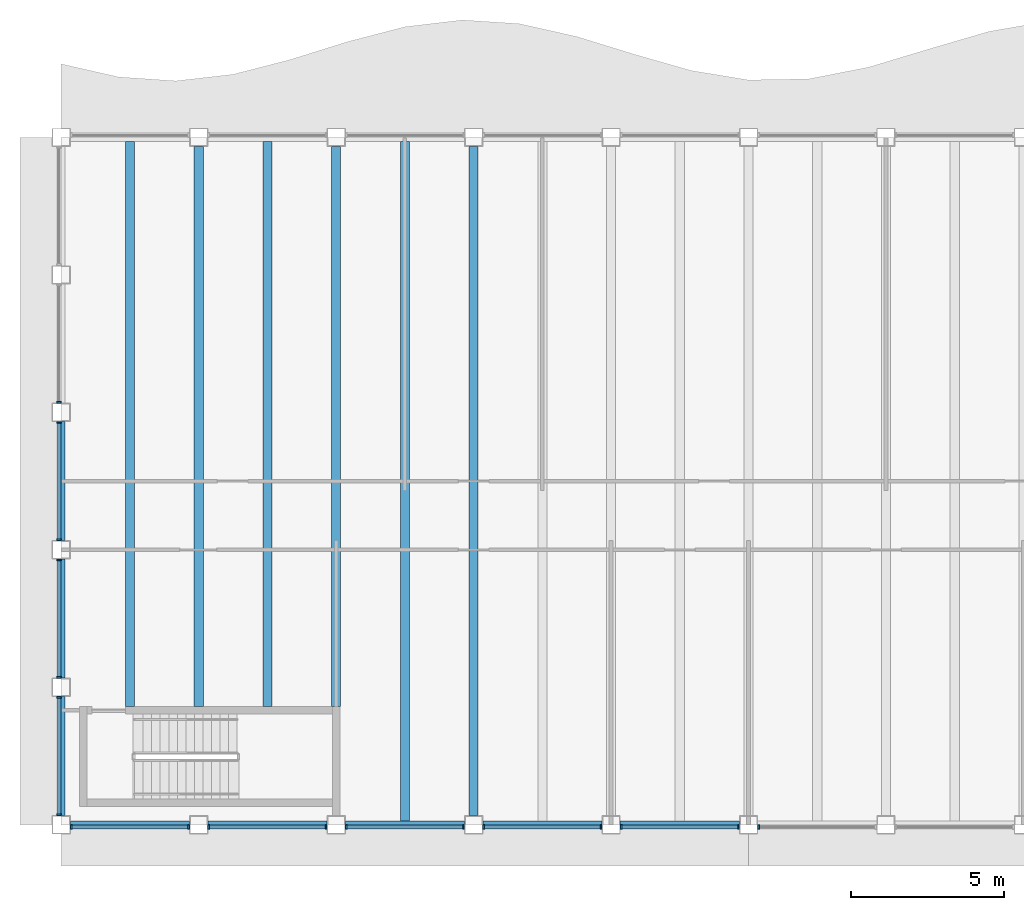
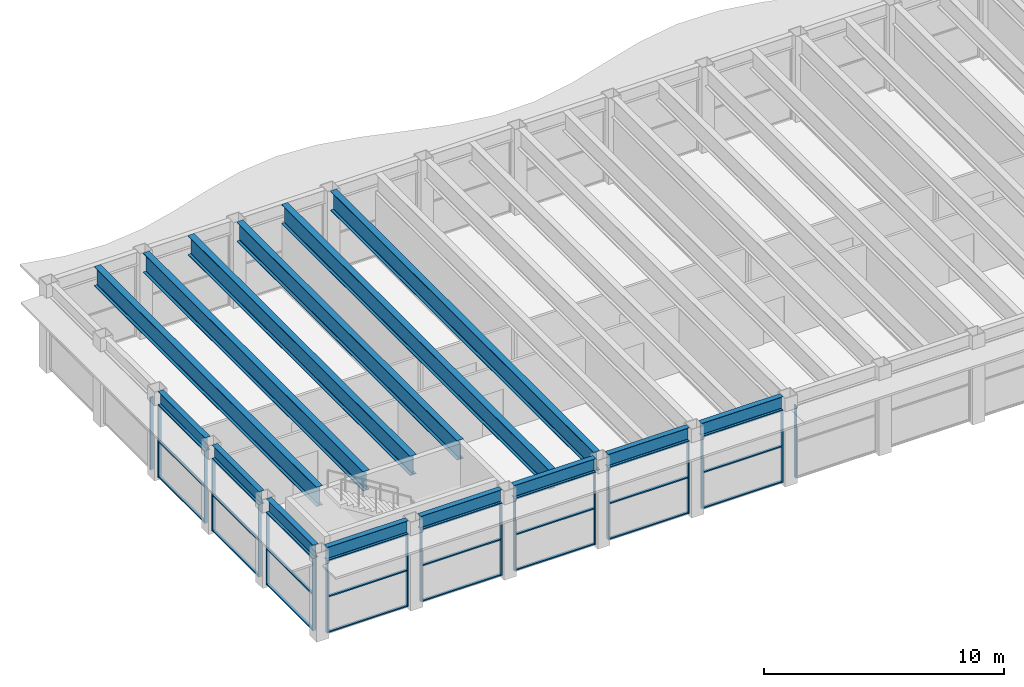
# One storey, part 2 of 14: 42 members, 14 beams, 10 elements without a shape of their own.
"""IFC4 building model written with IfcOpenShell, lengths in metres."""

from ifc_helpers import new_model, si_unit, direction, frame, origin, origin_2d, place, context, subcontext, project, spatial, rectangle, i_section, extrude, material, material_profile, profile_set, type_object, element, aggregate, save


model = new_model("IFC4")

# Units and contexts
model_context = context("Model", 3, precision=1e-05, world=origin(), true_north=direction((0.0, 1.0)))
body_context = subcontext(model_context, "Body", "Model", "MODEL_VIEW")
ifc_project = project(units=[si_unit("LENGTHUNIT", "METRE"), si_unit("AREAUNIT", "SQUARE_METRE"), si_unit("VOLUMEUNIT", "CUBIC_METRE"), si_unit("PLANEANGLEUNIT", "RADIAN"), si_unit("MASSUNIT", "GRAM", prefix="KILO")], contexts=[model_context])

# Site, building, storey
site_placement = place(None, origin())
site = spatial("IfcSite", under=ifc_project, at=site_placement, CompositionType="ELEMENT")
building_placement = place(site_placement, origin())
building = spatial("IfcBuilding", under=site, at=building_placement, Name="Sennacour Bend Tower", CompositionType="ELEMENT")
storey_placement = place(building_placement, frame((0.0, 0.0, 309.5)))
storey = spatial("IfcBuildingStorey", under=building, at=storey_placement, Name="L71", CompositionType="ELEMENT", Elevation=309.5)

# Curtain wall, members
ifc_material_1 = material(Name="Bronze anodised aluminium curtain wall with clear glass", Category="aluminium")
curtain_wall_type = type_object("IfcCurtainWallType", Name="CURTAIN WALL EXEC", PredefinedType="NOTDEFINED", material=ifc_material_1)
curtain_wall_1_placement = place(storey_placement, origin())
curtain_wall_1 = element("IfcCurtainWall", 1, at=curtain_wall_1_placement, inside=storey, type_object=curtain_wall_type, Name="Executive floor glass wall L71", PredefinedType="NOTDEFINED")
ifc_material_2 = material(Name="Aluminium 6063-T6", Category="aluminium")
ifc_material_profile_1 = material_profile(ifc_material_2, rectangle(XDim=0.14990234375, YDim=0.06005859375, at=origin_2d()), Name="Aluminium 6063-T6", Category="aluminium")
ifc_profile_set_1 = profile_set([ifc_material_profile_1], Name="Aluminium 6063-T6")
member_type_1 = type_object("IfcMemberType", Name="CW-MULLION-150X60", PredefinedType="MULLION", material=ifc_profile_set_1)
member_1_placement = place(storey_placement, frame((0.330078125, -0.074951171875, 0.0), z_axis=(0.0, 0.0, 1.0), x_axis=(0.0, 1.0, 0.0)))
member_1 = element("IfcMember", 2, at=member_1_placement, type_object=member_type_1, Name="GW3 curtain wall mullion 1", PredefinedType="MULLION", context=body_context, shape_type="SweptSolid", body=[
    extrude(rectangle(XDim=0.14990234375, YDim=0.06005859375, at=origin_2d()), origin(), (0.0, 0.0, 1.0), 3.672119140625),
])
member_2_placement = place(storey_placement, frame((4.169921875, -0.074951171875, 0.0), z_axis=(0.0, 0.0, 1.0), x_axis=(0.0, 1.0, 0.0)))
member_2 = element("IfcMember", 3, at=member_2_placement, type_object=member_type_1, Name="GW3 curtain wall mullion 2", PredefinedType="MULLION", context=body_context, shape_type="SweptSolid", body=[
    extrude(rectangle(XDim=0.14990234375, YDim=0.06005859375, at=origin_2d()), origin(), (0.0, 0.0, 1.0), 3.672119140625),
])

curtain_wall_2_placement = place(storey_placement, origin())
curtain_wall_2 = element("IfcCurtainWall", 4, at=curtain_wall_2_placement, inside=storey, type_object=curtain_wall_type, Name="Executive floor glass wall L71", PredefinedType="NOTDEFINED")
member_3_placement = place(storey_placement, frame((4.830078125, -0.074951171875, 0.0), z_axis=(0.0, 0.0, 1.0), x_axis=(0.0, 1.0, 0.0)))
member_3 = element("IfcMember", 5, at=member_3_placement, type_object=member_type_1, Name="GW3 curtain wall mullion 1", PredefinedType="MULLION", context=body_context, shape_type="SweptSolid", body=[
    extrude(rectangle(XDim=0.14990234375, YDim=0.06005859375, at=origin_2d()), origin(), (0.0, 0.0, 1.0), 3.672119140625),
])
member_4_placement = place(storey_placement, frame((8.669921875, -0.074951171875, 0.0), z_axis=(0.0, 0.0, 1.0), x_axis=(0.0, 1.0, 0.0)))
member_4 = element("IfcMember", 6, at=member_4_placement, type_object=member_type_1, Name="GW3 curtain wall mullion 2", PredefinedType="MULLION", context=body_context, shape_type="SweptSolid", body=[
    extrude(rectangle(XDim=0.14990234375, YDim=0.06005859375, at=origin_2d()), origin(), (0.0, 0.0, 1.0), 3.672119140625),
])

curtain_wall_3_placement = place(storey_placement, origin())
curtain_wall_3 = element("IfcCurtainWall", 7, at=curtain_wall_3_placement, inside=storey, type_object=curtain_wall_type, Name="Executive floor glass wall L71", PredefinedType="NOTDEFINED")
member_5_placement = place(storey_placement, frame((9.330078125, -0.074951171875, 0.0), z_axis=(0.0, 0.0, 1.0), x_axis=(0.0, 1.0, 0.0)))
member_5 = element("IfcMember", 8, at=member_5_placement, type_object=member_type_1, Name="GW3 curtain wall mullion 1", PredefinedType="MULLION", context=body_context, shape_type="SweptSolid", body=[
    extrude(rectangle(XDim=0.14990234375, YDim=0.06005859375, at=origin_2d()), origin(), (0.0, 0.0, 1.0), 3.672119140625),
])
member_6_placement = place(storey_placement, frame((13.169921875, -0.074951171875, 0.0), z_axis=(0.0, 0.0, 1.0), x_axis=(0.0, 1.0, 0.0)))
member_6 = element("IfcMember", 9, at=member_6_placement, type_object=member_type_1, Name="GW3 curtain wall mullion 2", PredefinedType="MULLION", context=body_context, shape_type="SweptSolid", body=[
    extrude(rectangle(XDim=0.14990234375, YDim=0.06005859375, at=origin_2d()), origin(), (0.0, 0.0, 1.0), 3.672119140625),
])

curtain_wall_4_placement = place(storey_placement, origin())
curtain_wall_4 = element("IfcCurtainWall", 10, at=curtain_wall_4_placement, inside=storey, type_object=curtain_wall_type, Name="Executive floor glass wall L71", PredefinedType="NOTDEFINED")
member_7_placement = place(storey_placement, frame((13.830078125, -0.074951171875, 0.0), z_axis=(0.0, 0.0, 1.0), x_axis=(0.0, 1.0, 0.0)))
member_7 = element("IfcMember", 11, at=member_7_placement, type_object=member_type_1, Name="GW3 curtain wall mullion 1", PredefinedType="MULLION", context=body_context, shape_type="SweptSolid", body=[
    extrude(rectangle(XDim=0.14990234375, YDim=0.06005859375, at=origin_2d()), origin(), (0.0, 0.0, 1.0), 3.672119140625),
])
member_8_placement = place(storey_placement, frame((17.669921875, -0.074951171875, 0.0), z_axis=(0.0, 0.0, 1.0), x_axis=(0.0, 1.0, 0.0)))
member_8 = element("IfcMember", 12, at=member_8_placement, type_object=member_type_1, Name="GW3 curtain wall mullion 2", PredefinedType="MULLION", context=body_context, shape_type="SweptSolid", body=[
    extrude(rectangle(XDim=0.14990234375, YDim=0.06005859375, at=origin_2d()), origin(), (0.0, 0.0, 1.0), 3.672119140625),
])

curtain_wall_5_placement = place(storey_placement, origin())
curtain_wall_5 = element("IfcCurtainWall", 13, at=curtain_wall_5_placement, inside=storey, type_object=curtain_wall_type, Name="Executive floor glass wall L71", PredefinedType="NOTDEFINED")
member_9_placement = place(storey_placement, frame((18.330078125, -0.074951171875, 0.0), z_axis=(0.0, 0.0, 1.0), x_axis=(0.0, 1.0, 0.0)))
member_9 = element("IfcMember", 14, at=member_9_placement, type_object=member_type_1, Name="GW3 curtain wall mullion 1", PredefinedType="MULLION", context=body_context, shape_type="SweptSolid", body=[
    extrude(rectangle(XDim=0.14990234375, YDim=0.06005859375, at=origin_2d()), origin(), (0.0, 0.0, 1.0), 3.672119140625),
])
member_10_placement = place(storey_placement, frame((22.169921875, -0.074951171875, 0.0), z_axis=(0.0, 0.0, 1.0), x_axis=(0.0, 1.0, 0.0)))
member_10 = element("IfcMember", 15, at=member_10_placement, type_object=member_type_1, Name="GW3 curtain wall mullion 2", PredefinedType="MULLION", context=body_context, shape_type="SweptSolid", body=[
    extrude(rectangle(XDim=0.14990234375, YDim=0.06005859375, at=origin_2d()), origin(), (0.0, 0.0, 1.0), 3.672119140625),
])

# Curtain wall, member
curtain_wall_6_placement = place(storey_placement, origin())
curtain_wall_6 = element("IfcCurtainWall", 16, at=curtain_wall_6_placement, inside=storey, type_object=curtain_wall_type, Name="Executive floor glass wall L71", PredefinedType="NOTDEFINED")
member_11_placement = place(storey_placement, frame((22.830078125, -0.074951171875, 0.0), z_axis=(0.0, 0.0, 1.0), x_axis=(0.0, 1.0, 0.0)))
member_11 = element("IfcMember", 17, at=member_11_placement, type_object=member_type_1, Name="GW3 curtain wall mullion 1", PredefinedType="MULLION", context=body_context, shape_type="SweptSolid", body=[
    extrude(rectangle(XDim=0.14990234375, YDim=0.06005859375, at=origin_2d()), origin(), (0.0, 0.0, 1.0), 3.672119140625),
])
aggregate(curtain_wall_6, [member_11])

curtain_wall_7_placement = place(storey_placement, origin())
curtain_wall_7 = element("IfcCurtainWall", 18, at=curtain_wall_7_placement, inside=storey, type_object=curtain_wall_type, Name="Executive floor glass wall L71", PredefinedType="NOTDEFINED")
member_12_placement = place(storey_placement, frame((-0.074951171875, 13.830078125, 0.0), z_axis=(0.0, 0.0, 1.0), x_axis=(1.0, 0.0, 0.0)))
member_12 = element("IfcMember", 19, at=member_12_placement, type_object=member_type_1, Name="GW3 curtain wall mullion 2", PredefinedType="MULLION", context=body_context, shape_type="SweptSolid", body=[
    extrude(rectangle(XDim=0.14990234375, YDim=0.06005859375, at=origin_2d()), origin(), (0.0, 0.0, 1.0), 3.672119140625),
])
aggregate(curtain_wall_7, [member_12])

# Curtain wall, members
curtain_wall_8_placement = place(storey_placement, origin())
curtain_wall_8 = element("IfcCurtainWall", 20, at=curtain_wall_8_placement, inside=storey, type_object=curtain_wall_type, Name="Executive floor glass wall L71", PredefinedType="NOTDEFINED")
member_13_placement = place(storey_placement, frame((-0.074951171875, 13.169921875, 0.0), z_axis=(0.0, 0.0, 1.0), x_axis=(1.0, 0.0, 0.0)))
member_13 = element("IfcMember", 21, at=member_13_placement, type_object=member_type_1, Name="GW3 curtain wall mullion 1", PredefinedType="MULLION", context=body_context, shape_type="SweptSolid", body=[
    extrude(rectangle(XDim=0.14990234375, YDim=0.06005859375, at=origin_2d()), origin(), (0.0, 0.0, 1.0), 3.672119140625),
])
member_14_placement = place(storey_placement, frame((-0.074951171875, 9.330078125, 0.0), z_axis=(0.0, 0.0, 1.0), x_axis=(1.0, 0.0, 0.0)))
member_14 = element("IfcMember", 22, at=member_14_placement, type_object=member_type_1, Name="GW3 curtain wall mullion 2", PredefinedType="MULLION", context=body_context, shape_type="SweptSolid", body=[
    extrude(rectangle(XDim=0.14990234375, YDim=0.06005859375, at=origin_2d()), origin(), (0.0, 0.0, 1.0), 3.672119140625),
])

curtain_wall_9_placement = place(storey_placement, origin())
curtain_wall_9 = element("IfcCurtainWall", 23, at=curtain_wall_9_placement, inside=storey, type_object=curtain_wall_type, Name="Executive floor glass wall L71", PredefinedType="NOTDEFINED")
member_15_placement = place(storey_placement, frame((-0.074951171875, 8.669921875, 0.0), z_axis=(0.0, 0.0, 1.0), x_axis=(1.0, 0.0, 0.0)))
member_15 = element("IfcMember", 24, at=member_15_placement, type_object=member_type_1, Name="GW3 curtain wall mullion 1", PredefinedType="MULLION", context=body_context, shape_type="SweptSolid", body=[
    extrude(rectangle(XDim=0.14990234375, YDim=0.06005859375, at=origin_2d()), origin(), (0.0, 0.0, 1.0), 3.672119140625),
])
member_16_placement = place(storey_placement, frame((-0.074951171875, 4.830078125, 0.0), z_axis=(0.0, 0.0, 1.0), x_axis=(1.0, 0.0, 0.0)))
member_16 = element("IfcMember", 25, at=member_16_placement, type_object=member_type_1, Name="GW3 curtain wall mullion 2", PredefinedType="MULLION", context=body_context, shape_type="SweptSolid", body=[
    extrude(rectangle(XDim=0.14990234375, YDim=0.06005859375, at=origin_2d()), origin(), (0.0, 0.0, 1.0), 3.672119140625),
])

curtain_wall_10_placement = place(storey_placement, origin())
curtain_wall_10 = element("IfcCurtainWall", 26, at=curtain_wall_10_placement, inside=storey, type_object=curtain_wall_type, Name="Executive floor glass wall L71", PredefinedType="NOTDEFINED")
member_17_placement = place(storey_placement, frame((-0.074951171875, 4.169921875, 0.0), z_axis=(0.0, 0.0, 1.0), x_axis=(1.0, 0.0, 0.0)))
member_17 = element("IfcMember", 27, at=member_17_placement, type_object=member_type_1, Name="GW3 curtain wall mullion 1", PredefinedType="MULLION", context=body_context, shape_type="SweptSolid", body=[
    extrude(rectangle(XDim=0.14990234375, YDim=0.06005859375, at=origin_2d()), origin(), (0.0, 0.0, 1.0), 3.672119140625),
])
member_18_placement = place(storey_placement, frame((-0.074951171875, 0.330078125, 0.0), z_axis=(0.0, 0.0, 1.0), x_axis=(1.0, 0.0, 0.0)))
member_18 = element("IfcMember", 28, at=member_18_placement, type_object=member_type_1, Name="GW3 curtain wall mullion 2", PredefinedType="MULLION", context=body_context, shape_type="SweptSolid", body=[
    extrude(rectangle(XDim=0.14990234375, YDim=0.06005859375, at=origin_2d()), origin(), (0.0, 0.0, 1.0), 3.672119140625),
])

# Member
ifc_material_profile_2 = material_profile(ifc_material_2, rectangle(XDim=0.1201171875, YDim=0.06005859375, at=origin_2d()), Name="Aluminium 6063-T6", Category="aluminium")
ifc_profile_set_2 = profile_set([ifc_material_profile_2], Name="Aluminium 6063-T6")
member_type_2 = type_object("IfcMemberType", Name="CW-TRANSOM-120X60", PredefinedType="USERDEFINED", material=ifc_profile_set_2)
member_19_placement = place(storey_placement, frame((0.360107421875, -0.074951171875, 0.030029296875), z_axis=(1.0, 0.0, 0.0), x_axis=(0.0, 1.0, 0.0)))
member_19 = element("IfcMember", 29, at=member_19_placement, type_object=member_type_2, Name="GW3 curtain wall transom 1.1", ObjectType="TRANSOM", PredefinedType="USERDEFINED", context=body_context, shape_type="SweptSolid", body=[
    extrude(rectangle(XDim=0.1201171875, YDim=0.06005859375, at=origin_2d()), origin(), (0.0, 0.0, 1.0), 3.77978515625),
])

member_20_placement = place(storey_placement, frame((0.360107421875, -0.074951171875, 1.8359375), z_axis=(1.0, 0.0, 0.0), x_axis=(0.0, 1.0, 0.0)))
member_20 = element("IfcMember", 30, at=member_20_placement, type_object=member_type_2, Name="GW3 curtain wall transom 1.2", ObjectType="TRANSOM", PredefinedType="USERDEFINED", context=body_context, shape_type="SweptSolid", body=[
    extrude(rectangle(XDim=0.1201171875, YDim=0.06005859375, at=origin_2d()), origin(), (0.0, 0.0, 1.0), 3.77978515625),
])

member_21_placement = place(storey_placement, frame((0.360107421875, -0.074951171875, 3.64208984375), z_axis=(1.0, 0.0, 0.0), x_axis=(0.0, 1.0, 0.0)))
member_21 = element("IfcMember", 31, at=member_21_placement, type_object=member_type_2, Name="GW3 curtain wall transom 1.3", ObjectType="TRANSOM", PredefinedType="USERDEFINED", context=body_context, shape_type="SweptSolid", body=[
    extrude(rectangle(XDim=0.1201171875, YDim=0.06005859375, at=origin_2d()), origin(), (0.0, 0.0, 1.0), 3.77978515625),
])

aggregate(curtain_wall_1, [member_1, member_2, member_19, member_20, member_21])

member_22_placement = place(storey_placement, frame((4.860107421875, -0.074951171875, 0.030029296875), z_axis=(1.0, 0.0, 0.0), x_axis=(0.0, 1.0, 0.0)))
member_22 = element("IfcMember", 32, at=member_22_placement, type_object=member_type_2, Name="GW3 curtain wall transom 1.1", ObjectType="TRANSOM", PredefinedType="USERDEFINED", context=body_context, shape_type="SweptSolid", body=[
    extrude(rectangle(XDim=0.1201171875, YDim=0.06005859375, at=origin_2d()), origin(), (0.0, 0.0, 1.0), 3.77978515625),
])

member_23_placement = place(storey_placement, frame((4.860107421875, -0.074951171875, 1.8359375), z_axis=(1.0, 0.0, 0.0), x_axis=(0.0, 1.0, 0.0)))
member_23 = element("IfcMember", 33, at=member_23_placement, type_object=member_type_2, Name="GW3 curtain wall transom 1.2", ObjectType="TRANSOM", PredefinedType="USERDEFINED", context=body_context, shape_type="SweptSolid", body=[
    extrude(rectangle(XDim=0.1201171875, YDim=0.06005859375, at=origin_2d()), origin(), (0.0, 0.0, 1.0), 3.77978515625),
])

member_24_placement = place(storey_placement, frame((4.860107421875, -0.074951171875, 3.64208984375), z_axis=(1.0, 0.0, 0.0), x_axis=(0.0, 1.0, 0.0)))
member_24 = element("IfcMember", 34, at=member_24_placement, type_object=member_type_2, Name="GW3 curtain wall transom 1.3", ObjectType="TRANSOM", PredefinedType="USERDEFINED", context=body_context, shape_type="SweptSolid", body=[
    extrude(rectangle(XDim=0.1201171875, YDim=0.06005859375, at=origin_2d()), origin(), (0.0, 0.0, 1.0), 3.77978515625),
])

aggregate(curtain_wall_2, [member_3, member_4, member_22, member_23, member_24])

member_25_placement = place(storey_placement, frame((9.360107421875, -0.074951171875, 0.030029296875), z_axis=(1.0, 0.0, 0.0), x_axis=(0.0, 1.0, 0.0)))
member_25 = element("IfcMember", 35, at=member_25_placement, type_object=member_type_2, Name="GW3 curtain wall transom 1.1", ObjectType="TRANSOM", PredefinedType="USERDEFINED", context=body_context, shape_type="SweptSolid", body=[
    extrude(rectangle(XDim=0.1201171875, YDim=0.06005859375, at=origin_2d()), origin(), (0.0, 0.0, 1.0), 3.77978515625),
])

member_26_placement = place(storey_placement, frame((9.360107421875, -0.074951171875, 1.8359375), z_axis=(1.0, 0.0, 0.0), x_axis=(0.0, 1.0, 0.0)))
member_26 = element("IfcMember", 36, at=member_26_placement, type_object=member_type_2, Name="GW3 curtain wall transom 1.2", ObjectType="TRANSOM", PredefinedType="USERDEFINED", context=body_context, shape_type="SweptSolid", body=[
    extrude(rectangle(XDim=0.1201171875, YDim=0.06005859375, at=origin_2d()), origin(), (0.0, 0.0, 1.0), 3.77978515625),
])

member_27_placement = place(storey_placement, frame((9.360107421875, -0.074951171875, 3.64208984375), z_axis=(1.0, 0.0, 0.0), x_axis=(0.0, 1.0, 0.0)))
member_27 = element("IfcMember", 37, at=member_27_placement, type_object=member_type_2, Name="GW3 curtain wall transom 1.3", ObjectType="TRANSOM", PredefinedType="USERDEFINED", context=body_context, shape_type="SweptSolid", body=[
    extrude(rectangle(XDim=0.1201171875, YDim=0.06005859375, at=origin_2d()), origin(), (0.0, 0.0, 1.0), 3.77978515625),
])

aggregate(curtain_wall_3, [member_5, member_6, member_25, member_26, member_27])

member_28_placement = place(storey_placement, frame((13.860107421875, -0.074951171875, 0.030029296875), z_axis=(1.0, 0.0, 0.0), x_axis=(0.0, 1.0, 0.0)))
member_28 = element("IfcMember", 38, at=member_28_placement, type_object=member_type_2, Name="GW3 curtain wall transom 1.1", ObjectType="TRANSOM", PredefinedType="USERDEFINED", context=body_context, shape_type="SweptSolid", body=[
    extrude(rectangle(XDim=0.1201171875, YDim=0.06005859375, at=origin_2d()), origin(), (0.0, 0.0, 1.0), 3.77978515625),
])

member_29_placement = place(storey_placement, frame((13.860107421875, -0.074951171875, 1.8359375), z_axis=(1.0, 0.0, 0.0), x_axis=(0.0, 1.0, 0.0)))
member_29 = element("IfcMember", 39, at=member_29_placement, type_object=member_type_2, Name="GW3 curtain wall transom 1.2", ObjectType="TRANSOM", PredefinedType="USERDEFINED", context=body_context, shape_type="SweptSolid", body=[
    extrude(rectangle(XDim=0.1201171875, YDim=0.06005859375, at=origin_2d()), origin(), (0.0, 0.0, 1.0), 3.77978515625),
])

member_30_placement = place(storey_placement, frame((13.860107421875, -0.074951171875, 3.64208984375), z_axis=(1.0, 0.0, 0.0), x_axis=(0.0, 1.0, 0.0)))
member_30 = element("IfcMember", 40, at=member_30_placement, type_object=member_type_2, Name="GW3 curtain wall transom 1.3", ObjectType="TRANSOM", PredefinedType="USERDEFINED", context=body_context, shape_type="SweptSolid", body=[
    extrude(rectangle(XDim=0.1201171875, YDim=0.06005859375, at=origin_2d()), origin(), (0.0, 0.0, 1.0), 3.77978515625),
])

aggregate(curtain_wall_4, [member_7, member_8, member_28, member_29, member_30])

member_31_placement = place(storey_placement, frame((18.360107421875, -0.074951171875, 0.030029296875), z_axis=(1.0, 0.0, 0.0), x_axis=(0.0, 1.0, 0.0)))
member_31 = element("IfcMember", 41, at=member_31_placement, type_object=member_type_2, Name="GW3 curtain wall transom 1.1", ObjectType="TRANSOM", PredefinedType="USERDEFINED", context=body_context, shape_type="SweptSolid", body=[
    extrude(rectangle(XDim=0.1201171875, YDim=0.06005859375, at=origin_2d()), origin(), (0.0, 0.0, 1.0), 3.77978515625),
])

member_32_placement = place(storey_placement, frame((18.360107421875, -0.074951171875, 1.8359375), z_axis=(1.0, 0.0, 0.0), x_axis=(0.0, 1.0, 0.0)))
member_32 = element("IfcMember", 42, at=member_32_placement, type_object=member_type_2, Name="GW3 curtain wall transom 1.2", ObjectType="TRANSOM", PredefinedType="USERDEFINED", context=body_context, shape_type="SweptSolid", body=[
    extrude(rectangle(XDim=0.1201171875, YDim=0.06005859375, at=origin_2d()), origin(), (0.0, 0.0, 1.0), 3.77978515625),
])

member_33_placement = place(storey_placement, frame((18.360107421875, -0.074951171875, 3.64208984375), z_axis=(1.0, 0.0, 0.0), x_axis=(0.0, 1.0, 0.0)))
member_33 = element("IfcMember", 43, at=member_33_placement, type_object=member_type_2, Name="GW3 curtain wall transom 1.3", ObjectType="TRANSOM", PredefinedType="USERDEFINED", context=body_context, shape_type="SweptSolid", body=[
    extrude(rectangle(XDim=0.1201171875, YDim=0.06005859375, at=origin_2d()), origin(), (0.0, 0.0, 1.0), 3.77978515625),
])

aggregate(curtain_wall_5, [member_9, member_10, member_31, member_32, member_33])

member_34_placement = place(storey_placement, frame((-0.074951171875, 13.139892578125, 0.030029296875), z_axis=(0.0, -1.0, 0.0), x_axis=(1.0, 0.0, 0.0)))
member_34 = element("IfcMember", 44, at=member_34_placement, type_object=member_type_2, Name="GW3 curtain wall transom 1.1", ObjectType="TRANSOM", PredefinedType="USERDEFINED", context=body_context, shape_type="SweptSolid", body=[
    extrude(rectangle(XDim=0.1201171875, YDim=0.06005859375, at=origin_2d()), origin(), (0.0, 0.0, 1.0), 3.77978515625),
])

member_35_placement = place(storey_placement, frame((-0.074951171875, 13.139892578125, 1.8359375), z_axis=(0.0, -1.0, 0.0), x_axis=(1.0, 0.0, 0.0)))
member_35 = element("IfcMember", 45, at=member_35_placement, type_object=member_type_2, Name="GW3 curtain wall transom 1.2", ObjectType="TRANSOM", PredefinedType="USERDEFINED", context=body_context, shape_type="SweptSolid", body=[
    extrude(rectangle(XDim=0.1201171875, YDim=0.06005859375, at=origin_2d()), origin(), (0.0, 0.0, 1.0), 3.77978515625),
])

member_36_placement = place(storey_placement, frame((-0.074951171875, 13.139892578125, 3.64208984375), z_axis=(0.0, -1.0, 0.0), x_axis=(1.0, 0.0, 0.0)))
member_36 = element("IfcMember", 46, at=member_36_placement, type_object=member_type_2, Name="GW3 curtain wall transom 1.3", ObjectType="TRANSOM", PredefinedType="USERDEFINED", context=body_context, shape_type="SweptSolid", body=[
    extrude(rectangle(XDim=0.1201171875, YDim=0.06005859375, at=origin_2d()), origin(), (0.0, 0.0, 1.0), 3.77978515625),
])

aggregate(curtain_wall_8, [member_13, member_14, member_34, member_35, member_36])

member_37_placement = place(storey_placement, frame((-0.074951171875, 8.639892578125, 0.030029296875), z_axis=(0.0, -1.0, 0.0), x_axis=(1.0, 0.0, 0.0)))
member_37 = element("IfcMember", 47, at=member_37_placement, type_object=member_type_2, Name="GW3 curtain wall transom 1.1", ObjectType="TRANSOM", PredefinedType="USERDEFINED", context=body_context, shape_type="SweptSolid", body=[
    extrude(rectangle(XDim=0.1201171875, YDim=0.06005859375, at=origin_2d()), origin(), (0.0, 0.0, 1.0), 3.77978515625),
])

member_38_placement = place(storey_placement, frame((-0.074951171875, 8.639892578125, 1.8359375), z_axis=(0.0, -1.0, 0.0), x_axis=(1.0, 0.0, 0.0)))
member_38 = element("IfcMember", 48, at=member_38_placement, type_object=member_type_2, Name="GW3 curtain wall transom 1.2", ObjectType="TRANSOM", PredefinedType="USERDEFINED", context=body_context, shape_type="SweptSolid", body=[
    extrude(rectangle(XDim=0.1201171875, YDim=0.06005859375, at=origin_2d()), origin(), (0.0, 0.0, 1.0), 3.77978515625),
])

member_39_placement = place(storey_placement, frame((-0.074951171875, 8.639892578125, 3.64208984375), z_axis=(0.0, -1.0, 0.0), x_axis=(1.0, 0.0, 0.0)))
member_39 = element("IfcMember", 49, at=member_39_placement, type_object=member_type_2, Name="GW3 curtain wall transom 1.3", ObjectType="TRANSOM", PredefinedType="USERDEFINED", context=body_context, shape_type="SweptSolid", body=[
    extrude(rectangle(XDim=0.1201171875, YDim=0.06005859375, at=origin_2d()), origin(), (0.0, 0.0, 1.0), 3.77978515625),
])

aggregate(curtain_wall_9, [member_15, member_16, member_37, member_38, member_39])

member_40_placement = place(storey_placement, frame((-0.074951171875, 4.139892578125, 0.030029296875), z_axis=(0.0, -1.0, 0.0), x_axis=(1.0, 0.0, 0.0)))
member_40 = element("IfcMember", 50, at=member_40_placement, type_object=member_type_2, Name="GW3 curtain wall transom 1.1", ObjectType="TRANSOM", PredefinedType="USERDEFINED", context=body_context, shape_type="SweptSolid", body=[
    extrude(rectangle(XDim=0.1201171875, YDim=0.06005859375, at=origin_2d()), origin(), (0.0, 0.0, 1.0), 3.77978515625),
])

member_41_placement = place(storey_placement, frame((-0.074951171875, 4.139892578125, 1.8359375), z_axis=(0.0, -1.0, 0.0), x_axis=(1.0, 0.0, 0.0)))
member_41 = element("IfcMember", 51, at=member_41_placement, type_object=member_type_2, Name="GW3 curtain wall transom 1.2", ObjectType="TRANSOM", PredefinedType="USERDEFINED", context=body_context, shape_type="SweptSolid", body=[
    extrude(rectangle(XDim=0.1201171875, YDim=0.06005859375, at=origin_2d()), origin(), (0.0, 0.0, 1.0), 3.77978515625),
])

member_42_placement = place(storey_placement, frame((-0.074951171875, 4.139892578125, 3.64208984375), z_axis=(0.0, -1.0, 0.0), x_axis=(1.0, 0.0, 0.0)))
member_42 = element("IfcMember", 52, at=member_42_placement, type_object=member_type_2, Name="GW3 curtain wall transom 1.3", ObjectType="TRANSOM", PredefinedType="USERDEFINED", context=body_context, shape_type="SweptSolid", body=[
    extrude(rectangle(XDim=0.1201171875, YDim=0.06005859375, at=origin_2d()), origin(), (0.0, 0.0, 1.0), 3.77978515625),
])

aggregate(curtain_wall_10, [member_17, member_18, member_40, member_41, member_42])

# Beams
ifc_material_3 = material(Name="Steel ASTM A992 Grade 50", Category="steel")
ifc_material_profile_3 = material_profile(ifc_material_3, i_section(OverallWidth=0.300048828125, OverallDepth=0.990966796875, WebThickness=0.0166015625, FlangeThickness=0.030517578125, FilletRadius=0.030029296875, at=origin_2d()), Name="Steel ASTM A992 Grade 50", Category="steel")
ifc_profile_set_3 = profile_set([ifc_material_profile_3], Name="Steel ASTM A992 Grade 50")
beam_type_1 = type_object("IfcBeamType", Name="Floor beam W1000X272", PredefinedType="BEAM", material=ifc_profile_set_3)
beam_1_placement = place(storey_placement, frame((2.25, 3.875, 3.8544921875), z_axis=(0.0, 1.0, 0.0), x_axis=(-1.0, 0.0, 0.0)))
element("IfcBeam", 53, at=beam_1_placement, inside=storey, type_object=beam_type_1, Name="Floor beam FBM3 L72-001", PredefinedType="BEAM", context=body_context, shape_type="SweptSolid", body=[
    extrude(i_section(OverallWidth=0.300048828125, OverallDepth=0.990966796875, WebThickness=0.0166015625, FlangeThickness=0.030517578125, FilletRadius=0.030029296875, at=origin_2d()), origin(), (0.0, 0.0, 1.0), 18.498046875),
])
beam_2_placement = place(storey_placement, frame((4.5, 3.875, 3.8544921875), z_axis=(0.0, 1.0, 0.0), x_axis=(-1.0, 0.0, 0.0)))
element("IfcBeam", 54, at=beam_2_placement, inside=storey, type_object=beam_type_1, Name="Floor beam FBM3 L72-002", PredefinedType="BEAM", context=body_context, shape_type="SweptSolid", body=[
    extrude(i_section(OverallWidth=0.300048828125, OverallDepth=0.990966796875, WebThickness=0.0166015625, FlangeThickness=0.030517578125, FilletRadius=0.030029296875, at=origin_2d()), origin(), (0.0, 0.0, 1.0), 18.324951171875),
])
beam_3_placement = place(storey_placement, frame((6.75, 3.875, 3.8544921875), z_axis=(0.0, 1.0, 0.0), x_axis=(-1.0, 0.0, 0.0)))
element("IfcBeam", 55, at=beam_3_placement, inside=storey, type_object=beam_type_1, Name="Floor beam FBM3 L72-003", PredefinedType="BEAM", context=body_context, shape_type="SweptSolid", body=[
    extrude(i_section(OverallWidth=0.300048828125, OverallDepth=0.990966796875, WebThickness=0.0166015625, FlangeThickness=0.030517578125, FilletRadius=0.030029296875, at=origin_2d()), origin(), (0.0, 0.0, 1.0), 18.498046875),
])
beam_4_placement = place(storey_placement, frame((9.0, 3.875, 3.8544921875), z_axis=(0.0, 1.0, 0.0), x_axis=(-1.0, 0.0, 0.0)))
element("IfcBeam", 56, at=beam_4_placement, inside=storey, type_object=beam_type_1, Name="Floor beam FBM3 L72-004", PredefinedType="BEAM", context=body_context, shape_type="SweptSolid", body=[
    extrude(i_section(OverallWidth=0.300048828125, OverallDepth=0.990966796875, WebThickness=0.0166015625, FlangeThickness=0.030517578125, FilletRadius=0.030029296875, at=origin_2d()), origin(), (0.0, 0.0, 1.0), 18.324951171875),
])
beam_5_placement = place(storey_placement, frame((11.25, 0.126953125, 3.8544921875), z_axis=(0.0, 1.0, 0.0), x_axis=(-1.0, 0.0, 0.0)))
element("IfcBeam", 57, at=beam_5_placement, inside=storey, type_object=beam_type_1, Name="Floor beam FBM3 L72-005", PredefinedType="BEAM", context=body_context, shape_type="SweptSolid", body=[
    extrude(i_section(OverallWidth=0.300048828125, OverallDepth=0.990966796875, WebThickness=0.0166015625, FlangeThickness=0.030517578125, FilletRadius=0.030029296875, at=origin_2d()), origin(), (0.0, 0.0, 1.0), 22.24609375),
])
beam_6_placement = place(storey_placement, frame((13.5, 0.300048828125, 3.8544921875), z_axis=(0.0, 1.0, 0.0), x_axis=(-1.0, 0.0, 0.0)))
element("IfcBeam", 58, at=beam_6_placement, inside=storey, type_object=beam_type_1, Name="Floor beam FBM3 L72-006", PredefinedType="BEAM", context=body_context, shape_type="SweptSolid", body=[
    extrude(i_section(OverallWidth=0.300048828125, OverallDepth=0.990966796875, WebThickness=0.0166015625, FlangeThickness=0.030517578125, FilletRadius=0.030029296875, at=origin_2d()), origin(), (0.0, 0.0, 1.0), 21.89990234375),
])
ifc_material_profile_4 = material_profile(ifc_material_3, i_section(OverallWidth=0.25390625, OverallDepth=0.677978515625, WebThickness=0.01171875, FlangeThickness=0.016357421875, FilletRadius=0.01513671875, at=origin_2d()), Name="Steel ASTM A992 Grade 50", Category="steel")
ifc_profile_set_4 = profile_set([ifc_material_profile_4], Name="Steel ASTM A992 Grade 50")
beam_type_2 = type_object("IfcBeamType", Name="Spandrel beam W690X125", PredefinedType="SPANDREL", material=ifc_profile_set_4)
for number, where, z_axis, x_axis, name in (
    (59, (0.0, 0.300048828125, 4.010986328125), (0.0, 1.0, 0.0), (-1.0, 0.0, 0.0), "Spandrel beam SP7 L72-001"),
    (60, (0.0, 4.800048828125, 4.010986328125), (0.0, 1.0, 0.0), (-1.0, 0.0, 0.0), "Spandrel beam SP7 L72-002"),
    (61, (0.0, 9.300048828125, 4.010986328125), (0.0, 1.0, 0.0), (-1.0, 0.0, 0.0), "Spandrel beam SP7 L72-003"),
    (62, (22.199951171875, 0.0, 4.010986328125), (-1.0, 0.0, 0.0), (0.0, -1.0, 0.0), "Spandrel beam SP7 L72-025"),
    (63, (17.699951171875, 0.0, 4.010986328125), (-1.0, 0.0, 0.0), (0.0, -1.0, 0.0), "Spandrel beam SP7 L72-026"),
    (64, (13.199951171875, 0.0, 4.010986328125), (-1.0, 0.0, 0.0), (0.0, -1.0, 0.0), "Spandrel beam SP7 L72-027"),
    (65, (8.699951171875, 0.0, 4.010986328125), (-1.0, 0.0, 0.0), (0.0, -1.0, 0.0), "Spandrel beam SP7 L72-028"),
    (66, (4.199951171875, 0.0, 4.010986328125), (-1.0, 0.0, 0.0), (0.0, -1.0, 0.0), "Spandrel beam SP7 L72-029"),
):
    element("IfcBeam", number, at=place(storey_placement, frame(where, z_axis=z_axis, x_axis=x_axis)), inside=storey, type_object=beam_type_2, Name=name, PredefinedType="SPANDREL", context=body_context, shape_type="SweptSolid", body=[
        extrude(i_section(OverallWidth=0.25390625, OverallDepth=0.677978515625, WebThickness=0.01171875, FlangeThickness=0.016357421875, FilletRadius=0.01513671875, at=origin_2d()), origin(), (0.0, 0.0, 1.0), 3.89990234375),
    ])

save(model, "model.ifc")
